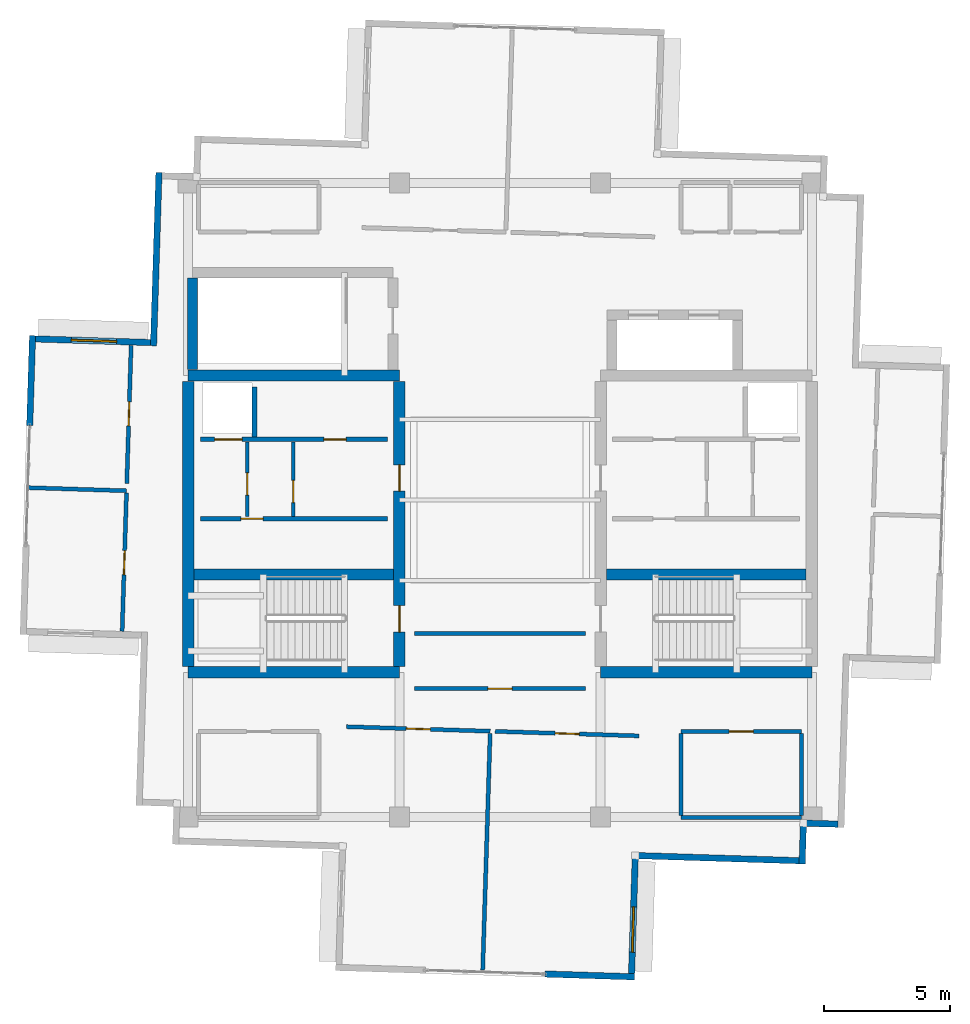
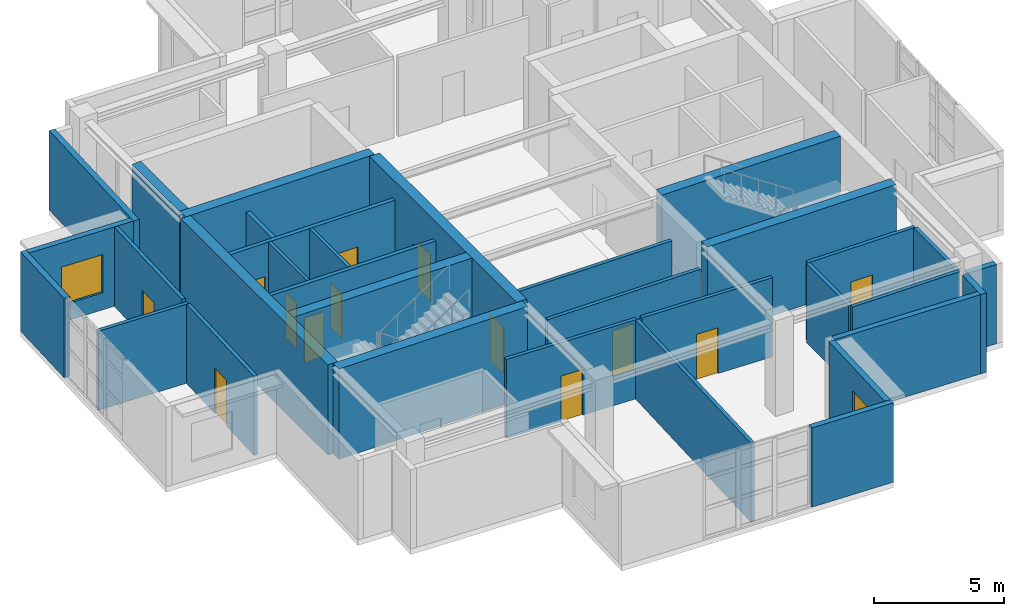
# One storey, part 10 of 14: 33 walls, 13 doors, 2 windows, 15 openings.
"""IFC4 building model written with IfcOpenShell, lengths in metres."""

from ifc_helpers import new_model, si_unit, direction, frame, frame_2d, origin, place, context, subcontext, project, spatial, rectangle, extrude, material, layer, layer_set, type_object, element, fill, save


model = new_model("IFC4")

# Units and contexts
model_context = context("Model", 3, precision=1e-05, world=origin(), true_north=direction((0.0, 1.0)))
body_context = subcontext(model_context, "Body", "Model", "MODEL_VIEW")
ifc_project = project(units=[si_unit("LENGTHUNIT", "METRE"), si_unit("AREAUNIT", "SQUARE_METRE"), si_unit("VOLUMEUNIT", "CUBIC_METRE"), si_unit("PLANEANGLEUNIT", "RADIAN"), si_unit("MASSUNIT", "GRAM", prefix="KILO")], contexts=[model_context])

# Site, building, storey
site_placement = place(None, origin())
site = spatial("IfcSite", under=ifc_project, at=site_placement, CompositionType="ELEMENT")
building_placement = place(site_placement, origin())
building = spatial("IfcBuilding", under=site, at=building_placement, Name="Qingluan Cross Belvedere", CompositionType="ELEMENT")
storey_placement = place(building_placement, frame((0.0, 0.0, 317.39990234375)))
storey = spatial("IfcBuildingStorey", under=building, at=storey_placement, Name="L78", CompositionType="ELEMENT", Elevation=317.39990234375)

# Walls
ifc_material_1 = material(Name="Concrete C50", Category="concrete")
ifc_layer_1 = layer(ifc_material_1, 0.449951171875, Name="CoreShearWall_450")
ifc_layer_set_1 = layer_set([ifc_layer_1], Name="Concrete C50")
wall_type_1 = type_object("IfcWallType", Name="CoreShearWall_450", PredefinedType="SHEAR", material=ifc_layer_set_1)
for number, where, z_axis, x_axis, name in (
    (1, (-12.39990234375, -6.85009765625, 0.0), (0.0, 0.0, 1.0), (1.0, 0.0, 0.0), "Split core W shear wall L78-S"),
    (2, (-12.39990234375, 4.949951171875, 0.0), (0.0, 0.0, 1.0), (1.0, 0.0, 0.0), "Split core W shear wall L78-N"),
):
    element("IfcWall", number, at=place(storey_placement, frame(where, z_axis=z_axis, x_axis=x_axis)), inside=storey, type_object=wall_type_1, Name=name, PredefinedType="SHEAR", context=body_context, shape_type="SweptSolid", body=[
        extrude(rectangle(XDim=8.39990234375, YDim=0.449951171875, at=frame_2d((4.199951171875, 0.0))), origin(), (0.0, 0.0, 1.0), 4.25),
    ])
wall_1_placement = place(storey_placement, frame((-12.39990234375, -6.6201171875, 0.0), z_axis=(0.0, 0.0, 1.0), x_axis=(0.0, 1.0, 0.0)))
element("IfcWall", 3, at=wall_1_placement, inside=storey, type_object=wall_type_1, Name="Split core W shear wall L78-W", PredefinedType="SHEAR", context=body_context, shape_type="SweptSolid", body=[
    extrude(rectangle(XDim=11.340087890625, YDim=0.449951171875, at=frame_2d((5.669921875, 0.0))), origin(), (0.0, 0.0, 1.0), 4.25),
])

# Wall, openings, doors
wall_2_placement = place(storey_placement, frame((-4.0, -6.6201171875, 0.0), z_axis=(0.0, 0.0, 1.0), x_axis=(0.0, 1.0, 0.0)))
wall_2 = element("IfcWall", 4, at=wall_2_placement, inside=storey, type_object=wall_type_1, Name="Split core W shear wall L78-E", PredefinedType="SHEAR", context=body_context, shape_type="SweptSolid", body=[
    extrude(rectangle(XDim=11.340087890625, YDim=0.449951171875, at=frame_2d((5.669921875, 0.0))), origin(), (0.0, 0.0, 1.0), 4.25),
])
opening_1_placement = place(wall_2_placement, frame((1.3701171875, 0.0, 0.0)))
opening_1 = element("IfcOpeningElement", 5, at=opening_1_placement, cuts=wall_2, Name="Opening FD-B11", PredefinedType="OPENING", context=body_context, shape_type="SweptSolid", body=[
    extrude(rectangle(XDim=1.050048828125, YDim=2.14990234375, at=frame_2d((0.52490234375, 1.074951171875))), frame((0.0, 0.23486328125, 0.0), z_axis=(0.0, -1.0, 0.0), x_axis=(1.0, 0.0, 0.0)), (0.0, 0.0, 1.0), 0.469970703125),
])
opening_2_placement = place(wall_2_placement, frame((6.969970703125, 0.0, 0.0)))
opening_2 = element("IfcOpeningElement", 6, at=opening_2_placement, cuts=wall_2, Name="Opening FD-B11", PredefinedType="OPENING", context=body_context, shape_type="SweptSolid", body=[
    extrude(rectangle(XDim=1.050048828125, YDim=2.14990234375, at=frame_2d((0.52490234375, 1.074951171875))), frame((0.0, 0.23486328125, 0.0), z_axis=(0.0, -1.0, 0.0), x_axis=(1.0, 0.0, 0.0)), (0.0, 0.0, 1.0), 0.469970703125),
])
ifc_material_2 = material(Name="Steel Class B smoke-seal fire door", Category="steel")
door_type_1 = type_object("IfcDoorType", Name="StairLobbyFireDoor_FDB", OperationType="NOTDEFINED", PredefinedType="DOOR", material=ifc_material_2)
door_1_placement = place(opening_1_placement, origin())
door_1 = element("IfcDoor", 7, at=door_1_placement, inside=storey, type_object=door_type_1, Name="Smoke-proof stair ST1 fire door L78", OperationType="SINGLE_SWING_RIGHT", OverallHeight=2.14990234375, OverallWidth=1.050048828125, PredefinedType="DOOR", context=body_context, shape_type="SweptSolid", body=[
    extrude(rectangle(XDim=1.050048828125, YDim=2.14990234375, at=frame_2d((0.52490234375, 1.074951171875))), frame((0.0, 0.02490234375, 0.0), z_axis=(0.0, -1.0, 0.0), x_axis=(1.0, 0.0, 0.0)), (0.0, 0.0, 1.0), 0.050048828125),
])
fill(opening_1, door_1)
door_2_placement = place(opening_2_placement, origin())
door_2 = element("IfcDoor", 8, at=door_2_placement, inside=storey, type_object=door_type_1, Name="Firefighting lobby West fire door L78", OperationType="SINGLE_SWING_RIGHT", OverallHeight=2.14990234375, OverallWidth=1.050048828125, PredefinedType="DOOR", context=body_context, shape_type="SweptSolid", body=[
    extrude(rectangle(XDim=1.050048828125, YDim=2.14990234375, at=frame_2d((0.52490234375, 1.074951171875))), frame((0.0, 0.02490234375, 0.0), z_axis=(0.0, -1.0, 0.0), x_axis=(1.0, 0.0, 0.0)), (0.0, 0.0, 1.0), 0.050048828125),
])
fill(opening_2, door_2)

# Walls
wall_3_placement = place(storey_placement, frame((-12.169921875, -2.9599609375, 0.0), z_axis=(0.0, 0.0, 1.0), x_axis=(1.0, 0.0, 0.0)))
element("IfcWall", 9, at=wall_3_placement, inside=storey, type_object=wall_type_1, Name="Split core W shear wall L78-M", PredefinedType="SHEAR", context=body_context, shape_type="SweptSolid", body=[
    extrude(rectangle(XDim=7.93994140625, YDim=0.449951171875, at=frame_2d((3.969970703125, 0.0))), origin(), (0.0, 0.0, 1.0), 4.25),
])
wall_4_placement = place(storey_placement, frame((4.0, -6.85009765625, 0.0), z_axis=(0.0, 0.0, 1.0), x_axis=(1.0, 0.0, 0.0)))
element("IfcWall", 10, at=wall_4_placement, inside=storey, type_object=wall_type_1, Name="Split core E shear wall L78-S", PredefinedType="SHEAR", context=body_context, shape_type="SweptSolid", body=[
    extrude(rectangle(XDim=8.39990234375, YDim=0.449951171875, at=frame_2d((4.199951171875, 0.0))), origin(), (0.0, 0.0, 1.0), 4.25),
])
wall_5_placement = place(storey_placement, frame((4.22998046875, -2.9599609375, 0.0), z_axis=(0.0, 0.0, 1.0), x_axis=(1.0, 0.0, 0.0)))
element("IfcWall", 11, at=wall_5_placement, inside=storey, type_object=wall_type_1, Name="Split core E shear wall L78-M", PredefinedType="SHEAR", context=body_context, shape_type="SweptSolid", body=[
    extrude(rectangle(XDim=7.93994140625, YDim=0.449951171875, at=frame_2d((3.969970703125, 0.0))), origin(), (0.0, 0.0, 1.0), 4.25),
])
wall_6_placement = place(storey_placement, frame((-12.219970703125, 5.179931640625, 0.0), z_axis=(0.0, 0.0, 1.0), x_axis=(0.0, 1.0, 0.0)))
element("IfcWall", 12, at=wall_6_placement, inside=storey, type_object=wall_type_1, Name="Stair ST3 structural wall W L78", PredefinedType="SHEAR", context=body_context, shape_type="SweptSolid", body=[
    extrude(rectangle(XDim=3.655029296875, YDim=0.39990234375, at=frame_2d((1.82763671875, 0.0))), origin(), (0.0, 0.0, 1.0), 4.25),
])

# Wall, opening, door
ifc_material_3 = material(Name="Gypsum plasterboard on steel stud acoustic partition", Category="steel")
ifc_layer_2 = layer(ifc_material_3, 0.159912109375, Name="CorridorPartition_160")
ifc_layer_set_2 = layer_set([ifc_layer_2], Name="Gypsum plasterboard on steel stud acoustic partition")
wall_type_2 = type_object("IfcWallType", Name="CorridorPartition_160", PredefinedType="PARTITIONING", material=ifc_layer_set_2)
wall_7_placement = place(storey_placement, frame((-10.050048828125, -0.652099609375, 0.0), z_axis=(0.0, 0.0, 1.0), x_axis=(0.0, 1.0, 0.0)))
wall_7 = element("IfcWall", 13, at=wall_7_placement, inside=storey, type_object=wall_type_2, Name="Partition L78:wv", PredefinedType="PARTITIONING", context=body_context, shape_type="SweptSolid", body=[
    extrude(rectangle(XDim=2.962158203125, YDim=0.139892578125, at=frame_2d((1.48095703125, 0.0))), origin(), (0.0, 0.0, 1.0), 3.72021484375),
])
opening_3_placement = place(wall_7_placement, frame((0.85009765625, 0.0, 0.0)))
opening_3 = element("IfcOpeningElement", 14, at=opening_3_placement, cuts=wall_7, Name="Opening FD-B10", PredefinedType="OPENING", context=body_context, shape_type="SweptSolid", body=[
    extrude(rectangle(XDim=0.8798828125, YDim=2.10009765625, at=frame_2d((0.43994140625, 1.050048828125))), frame((0.0, 0.079833984375, 0.0), z_axis=(0.0, -1.0, 0.0), x_axis=(1.0, 0.0, 0.0)), (0.0, 0.0, 1.0), 0.159912109375),
])
ifc_material_4 = material(Name="Steel Class B service fire door", Category="steel")
door_type_2 = type_object("IfcDoorType", Name="RiserServiceFireDoor_FDB", OperationType="NOTDEFINED", PredefinedType="DOOR", material=ifc_material_4)
door_3_placement = place(opening_3_placement, origin())
door_3 = element("IfcDoor", 15, at=door_3_placement, inside=storey, type_object=door_type_2, Name="Service closet inner door L78", OperationType="SINGLE_SWING_LEFT", OverallHeight=2.10009765625, OverallWidth=0.8798828125, PredefinedType="DOOR", context=body_context, shape_type="SweptSolid", body=[
    extrude(rectangle(XDim=0.8798828125, YDim=2.10009765625, at=frame_2d((0.43994140625, 1.050048828125))), frame((0.0, 0.02490234375, 0.0), z_axis=(0.0, -1.0, 0.0), x_axis=(1.0, 0.0, 0.0)), (0.0, 0.0, 1.0), 0.050048828125),
])
fill(opening_3, door_3)

wall_8_placement = place(storey_placement, frame((-6.106201171875, -9.0126953125, 0.0), z_axis=(0.0, 0.0, 1.0), x_axis=(0.999506480363, -0.031413304704, 0.0)))
wall_8 = element("IfcWall", 16, at=wall_8_placement, inside=storey, type_object=wall_type_2, Name="Partition L78:obs_s1:N", PredefinedType="PARTITIONING", context=body_context, shape_type="SweptSolid", body=[
    extrude(rectangle(XDim=5.72021484375, YDim=0.159912109375, at=frame_2d((2.860107421875, 0.0))), origin(), (0.0, 0.0, 1.0), 3.72021484375),
])
opening_4_placement = place(wall_8_placement, frame((2.3798828125, 0.0, 0.0)))
opening_4 = element("IfcOpeningElement", 17, at=opening_4_placement, cuts=wall_8, Name="Opening GD-10", PredefinedType="OPENING", context=body_context, shape_type="SweptSolid", body=[
    extrude(rectangle(XDim=0.9599609375, YDim=2.14990234375, at=frame_2d((0.47998046875, 1.074951171875))), frame((0.0, 0.08984375, 0.0), z_axis=(0.0, -1.0, 0.0), x_axis=(1.0, 0.0, 0.0)), (0.0, 0.0, 1.0), 0.179931640625),
])
ifc_material_5 = material(Name="Timber oak fire-rated acoustic guestroom door", Category="wood")
door_type_3 = type_object("IfcDoorType", Name="GuestEntryDoor_FD60", OperationType="NOTDEFINED", PredefinedType="DOOR", material=ifc_material_5)
door_4_placement = place(opening_4_placement, origin())
door_4 = element("IfcDoor", 18, at=door_4_placement, inside=storey, type_object=door_type_3, Name="South Yangtze belvedere lounge W L78 door", OperationType="SINGLE_SWING_RIGHT", OverallHeight=2.14990234375, OverallWidth=0.9599609375, PredefinedType="DOOR", context=body_context, shape_type="SweptSolid", body=[
    extrude(rectangle(XDim=0.9599609375, YDim=2.14990234375, at=frame_2d((0.47998046875, 1.074951171875))), frame((0.0, 0.02490234375, 0.0), z_axis=(0.0, -1.0, 0.0), x_axis=(1.0, 0.0, 0.0)), (0.0, 0.0, 1.0), 0.050048828125),
])
fill(opening_4, door_4)

# Wall
wall_9_placement = place(storey_placement, frame((-0.687255859375, -18.6826171875, 0.0), z_axis=(0.0, 0.0, 1.0), x_axis=(0.031419429825, 0.999506287839, 0.0)))
element("IfcWall", 19, at=wall_9_placement, inside=storey, type_object=wall_type_2, Name="Partition L78:obs_s1:E", PredefinedType="PARTITIONING", context=body_context, shape_type="SweptSolid", body=[
    extrude(rectangle(XDim=9.409912109375, YDim=0.159912109375, at=frame_2d((4.705078125, 0.0))), origin(), (0.0, 0.0, 1.0), 3.72021484375),
])

# Wall, opening, door
wall_10_placement = place(storey_placement, frame((-0.18896484375, -9.198486328125, 0.0), z_axis=(0.0, 0.0, 1.0), x_axis=(0.999505097127, -0.031457285587, 0.0)))
wall_10 = element("IfcWall", 20, at=wall_10_placement, inside=storey, type_object=wall_type_2, Name="Partition L78:obs_s2:N", PredefinedType="PARTITIONING", context=body_context, shape_type="SweptSolid", body=[
    extrude(rectangle(XDim=5.719970703125, YDim=0.159912109375, at=frame_2d((2.85986328125, 0.0))), origin(), (0.0, 0.0, 1.0), 3.72021484375),
])
opening_5_placement = place(wall_10_placement, frame((2.3798828125, 0.0, 0.0)))
opening_5 = element("IfcOpeningElement", 21, at=opening_5_placement, cuts=wall_10, Name="Opening GD-10", PredefinedType="OPENING", context=body_context, shape_type="SweptSolid", body=[
    extrude(rectangle(XDim=0.9599609375, YDim=2.14990234375, at=frame_2d((0.47998046875, 1.074951171875))), frame((0.0, 0.08984375, 0.0), z_axis=(0.0, -1.0, 0.0), x_axis=(1.0, 0.0, 0.0)), (0.0, 0.0, 1.0), 0.179931640625),
])
door_5_placement = place(opening_5_placement, origin())
door_5 = element("IfcDoor", 22, at=door_5_placement, inside=storey, type_object=door_type_3, Name="South Yangtze belvedere lounge E L78 door", OperationType="SINGLE_SWING_LEFT", OverallHeight=2.14990234375, OverallWidth=0.9599609375, PredefinedType="DOOR", context=body_context, shape_type="SweptSolid", body=[
    extrude(rectangle(XDim=0.9599609375, YDim=2.14990234375, at=frame_2d((0.47998046875, 1.074951171875))), frame((0.0, 0.02490234375, 0.0), z_axis=(0.0, -1.0, 0.0), x_axis=(1.0, 0.0, 0.0)), (0.0, 0.0, 1.0), 0.050048828125),
])
fill(opening_5, door_5)

# Wall
wall_11_placement = place(storey_placement, frame((-18.77392578125, 0.489990234375, 0.0), z_axis=(0.0, 0.0, 1.0), x_axis=(0.999505874845, -0.031432565113, 0.0)))
element("IfcWall", 23, at=wall_11_placement, inside=storey, type_object=wall_type_2, Name="Partition L78:obs_w1:N", PredefinedType="PARTITIONING", context=body_context, shape_type="SweptSolid", body=[
    extrude(rectangle(XDim=3.93017578125, YDim=0.159912109375, at=frame_2d((1.965087890625, 0.0))), origin(), (0.0, 0.0, 1.0), 3.72021484375),
])

# Wall, opening, door
wall_12_placement = place(storey_placement, frame((-15.021240234375, -5.2177734375, 0.0), z_axis=(0.0, 0.0, 1.0), x_axis=(0.031416227439, 0.999506388501, 0.0)))
wall_12 = element("IfcWall", 24, at=wall_12_placement, inside=storey, type_object=wall_type_2, Name="Partition L78:obs_w1:E", PredefinedType="PARTITIONING", context=body_context, shape_type="SweptSolid", body=[
    extrude(rectangle(XDim=5.501953125, YDim=0.159912109375, at=frame_2d((2.7509765625, 0.0))), origin(), (0.0, 0.0, 1.0), 3.72021484375),
])
opening_6_placement = place(wall_12_placement, frame((2.2470703125, 0.0, 0.0)))
opening_6 = element("IfcOpeningElement", 25, at=opening_6_placement, cuts=wall_12, Name="Opening GD-10", PredefinedType="OPENING", context=body_context, shape_type="SweptSolid", body=[
    extrude(rectangle(XDim=0.9599609375, YDim=2.14990234375, at=frame_2d((0.47998046875, 1.074951171875))), frame((0.0, 0.08984375, 0.0), z_axis=(0.0, -1.0, 0.0), x_axis=(1.0, 0.0, 0.0)), (0.0, 0.0, 1.0), 0.179931640625),
])
door_6_placement = place(opening_6_placement, origin())
door_6 = element("IfcDoor", 26, at=door_6_placement, inside=storey, type_object=door_type_3, Name="West skyline exhibition room L78 door", OperationType="SINGLE_SWING_RIGHT", OverallHeight=2.14990234375, OverallWidth=0.9599609375, PredefinedType="DOOR", context=body_context, shape_type="SweptSolid", body=[
    extrude(rectangle(XDim=0.9599609375, YDim=2.14990234375, at=frame_2d((0.47998046875, 1.074951171875))), frame((0.0, 0.02490234375, 0.0), z_axis=(0.0, -1.0, 0.0), x_axis=(1.0, 0.0, 0.0)), (0.0, 0.0, 1.0), 0.050048828125),
])
fill(opening_6, door_6)

wall_13_placement = place(storey_placement, frame((-14.8369140625, 0.6513671875, 0.0), z_axis=(0.0, 0.0, 1.0), x_axis=(0.031416227439, 0.999506388501, 0.0)))
wall_13 = element("IfcWall", 27, at=wall_13_placement, inside=storey, type_object=wall_type_2, Name="Partition L78:obs_w2:E", PredefinedType="PARTITIONING", context=body_context, shape_type="SweptSolid", body=[
    extrude(rectangle(XDim=5.501953125, YDim=0.159912109375, at=frame_2d((2.7509765625, 0.0))), origin(), (0.0, 0.0, 1.0), 3.72021484375),
])
opening_7_placement = place(wall_13_placement, frame((2.294921875, 0.0, 0.0)))
opening_7 = element("IfcOpeningElement", 28, at=opening_7_placement, cuts=wall_13, Name="Opening GD-10", PredefinedType="OPENING", context=body_context, shape_type="SweptSolid", body=[
    extrude(rectangle(XDim=0.9599609375, YDim=2.14990234375, at=frame_2d((0.47998046875, 1.074951171875))), frame((0.0, 0.08984375, 0.0), z_axis=(0.0, -1.0, 0.0), x_axis=(1.0, 0.0, 0.0)), (0.0, 0.0, 1.0), 0.179931640625),
])
door_7_placement = place(opening_7_placement, origin())
door_7 = element("IfcDoor", 29, at=door_7_placement, inside=storey, type_object=door_type_3, Name="Telescope viewing salon L78 door", OperationType="SINGLE_SWING_LEFT", OverallHeight=2.14990234375, OverallWidth=0.9599609375, PredefinedType="DOOR", context=body_context, shape_type="SweptSolid", body=[
    extrude(rectangle(XDim=0.9599609375, YDim=2.14990234375, at=frame_2d((0.47998046875, 1.074951171875))), frame((0.0, 0.02490234375, 0.0), z_axis=(0.0, -1.0, 0.0), x_axis=(1.0, 0.0, 0.0)), (0.0, 0.0, 1.0), 0.050048828125),
])
fill(opening_7, door_7)

# Wall
wall_14_placement = place(storey_placement, frame((7.199951171875, -12.6298828125, 0.0), z_axis=(0.0, 0.0, 1.0), x_axis=(1.0, 0.0, 0.0)))
element("IfcWall", 30, at=wall_14_placement, inside=storey, type_object=wall_type_2, Name="Partition L78:crown_se:S", PredefinedType="PARTITIONING", context=body_context, shape_type="SweptSolid", body=[
    extrude(rectangle(XDim=4.780029296875, YDim=0.159912109375, at=frame_2d((2.39013671875, 0.0))), origin(), (0.0, 0.0, 1.0), 3.72021484375),
])

# Wall, opening, door
wall_15_placement = place(storey_placement, frame((7.199951171875, -9.199951171875, 0.0), z_axis=(0.0, 0.0, 1.0), x_axis=(1.0, 0.0, 0.0)))
wall_15 = element("IfcWall", 31, at=wall_15_placement, inside=storey, type_object=wall_type_2, Name="Partition L78:crown_se:N", PredefinedType="PARTITIONING", context=body_context, shape_type="SweptSolid", body=[
    extrude(rectangle(XDim=4.780029296875, YDim=0.159912109375, at=frame_2d((2.39013671875, 0.0))), origin(), (0.0, 0.0, 1.0), 3.72021484375),
])
opening_8_placement = place(wall_15_placement, frame((1.909912109375, 0.0, 0.0)))
opening_8 = element("IfcOpeningElement", 32, at=opening_8_placement, cuts=wall_15, Name="Opening GD-10", PredefinedType="OPENING", context=body_context, shape_type="SweptSolid", body=[
    extrude(rectangle(XDim=0.9599609375, YDim=2.14990234375, at=frame_2d((0.47998046875, 1.074951171875))), frame((0.0, 0.08984375, 0.0), z_axis=(0.0, -1.0, 0.0), x_axis=(1.0, 0.0, 0.0)), (0.0, 0.0, 1.0), 0.179931640625),
])
door_8_placement = place(opening_8_placement, origin())
door_8 = element("IfcDoor", 33, at=door_8_placement, inside=storey, type_object=door_type_3, Name="Southeast horizon salon L78 door", OperationType="SINGLE_SWING_RIGHT", OverallHeight=2.14990234375, OverallWidth=0.9599609375, PredefinedType="DOOR", context=body_context, shape_type="SweptSolid", body=[
    extrude(rectangle(XDim=0.9599609375, YDim=2.14990234375, at=frame_2d((0.47998046875, 1.074951171875))), frame((0.0, 0.02490234375, 0.0), z_axis=(0.0, -1.0, 0.0), x_axis=(1.0, 0.0, 0.0)), (0.0, 0.0, 1.0), 0.050048828125),
])
fill(opening_8, door_8)

# Walls
for number, where, z_axis, x_axis, name in (
    (34, (7.199951171875, -12.544921875, 0.0), (0.0, 0.0, 1.0), (0.0, 1.0, 0.0), "Partition L78:crown_se:W"),
    (35, (11.97998046875, -12.544921875, 0.0), (0.0, 0.0, 1.0), (0.0, 1.0, 0.0), "Partition L78:crown_se:E"),
):
    element("IfcWall", number, at=place(storey_placement, frame(where, z_axis=z_axis, x_axis=x_axis)), inside=storey, type_object=wall_type_2, Name=name, PredefinedType="PARTITIONING", context=body_context, shape_type="SweptSolid", body=[
        extrude(rectangle(XDim=3.260009765625, YDim=0.159912109375, at=frame_2d((1.6298828125, 0.0))), origin(), (0.0, 0.0, 1.0), 3.72021484375),
    ])

# Wall, opening, door
wall_16_placement = place(storey_placement, frame((-3.39990234375, -7.5, 0.0), z_axis=(0.0, 0.0, 1.0), x_axis=(1.0, 0.0, 0.0)))
wall_16 = element("IfcWall", 36, at=wall_16_placement, inside=storey, type_object=wall_type_2, Name="Partition L78:obs_center_s:S", PredefinedType="PARTITIONING", context=body_context, shape_type="SweptSolid", body=[
    extrude(rectangle(XDim=6.7998046875, YDim=0.159912109375, at=frame_2d((3.39990234375, 0.0))), origin(), (0.0, 0.0, 1.0), 3.72021484375),
])
opening_9_placement = place(wall_16_placement, frame((2.919921875, 0.0, 0.0)))
opening_9 = element("IfcOpeningElement", 37, at=opening_9_placement, cuts=wall_16, Name="Opening GD-10", PredefinedType="OPENING", context=body_context, shape_type="SweptSolid", body=[
    extrude(rectangle(XDim=0.9599609375, YDim=2.14990234375, at=frame_2d((0.47998046875, 1.074951171875))), frame((0.0, 0.08984375, 0.0), z_axis=(0.0, -1.0, 0.0), x_axis=(1.0, 0.0, 0.0)), (0.0, 0.0, 1.0), 0.179931640625),
])
door_9_placement = place(opening_9_placement, origin())
door_9 = element("IfcDoor", 38, at=door_9_placement, inside=storey, type_object=door_type_3, Name="Central skyline viewing alcove L78 door", OperationType="SINGLE_SWING_LEFT", OverallHeight=2.14990234375, OverallWidth=0.9599609375, PredefinedType="DOOR", context=body_context, shape_type="SweptSolid", body=[
    extrude(rectangle(XDim=0.9599609375, YDim=2.14990234375, at=frame_2d((0.47998046875, 1.074951171875))), frame((0.0, 0.02490234375, 0.0), z_axis=(0.0, -1.0, 0.0), x_axis=(1.0, 0.0, 0.0)), (0.0, 0.0, 1.0), 0.050048828125),
])
fill(opening_9, door_9)

# Wall
wall_17_placement = place(storey_placement, frame((-3.39990234375, -5.300048828125, 0.0), z_axis=(0.0, 0.0, 1.0), x_axis=(1.0, 0.0, 0.0)))
element("IfcWall", 39, at=wall_17_placement, inside=storey, type_object=wall_type_2, Name="Partition L78:obs_center_s:N", PredefinedType="PARTITIONING", context=body_context, shape_type="SweptSolid", body=[
    extrude(rectangle(XDim=6.7998046875, YDim=0.159912109375, at=frame_2d((3.39990234375, 0.0))), origin(), (0.0, 0.0, 1.0), 3.72021484375),
])

# Wall, opening, window
ifc_material_6 = material(Name="Precast concrete C45", Category="concrete")
ifc_layer_3 = layer(ifc_material_6, 0.25, Name="PrecastCrownWall_250")
ifc_layer_set_3 = layer_set([ifc_layer_3], Name="Precast concrete C45")
wall_type_3 = type_object("IfcWallType", Name="PrecastCrownWall_250", PredefinedType="STANDARD", material=ifc_layer_set_3)
wall_18_placement = place(storey_placement, frame((-13.895263671875, 6.259521484375, 0.0), z_axis=(0.0, 0.0, 1.0), x_axis=(-0.999506483228, 0.031413213541, 0.0)))
wall_18 = element("IfcWall", 40, at=wall_18_placement, inside=storey, type_object=wall_type_3, Name="Facade wall L78-WA", PredefinedType="STANDARD", context=body_context, shape_type="SweptSolid", body=[
    extrude(rectangle(XDim=4.56982421875, YDim=0.25, at=frame_2d((2.284912109375, 0.0))), origin(), (0.0, 0.0, 1.0), 3.72998046875),
])
opening_10_placement = place(wall_18_placement, frame((1.35009765625, 0.0, 0.800048828125)))
opening_10 = element("IfcOpeningElement", 41, at=opening_10_placement, cuts=wall_18, Name="Opening W-05", PredefinedType="OPENING", context=body_context, shape_type="SweptSolid", body=[
    extrude(rectangle(XDim=1.800048828125, YDim=1.800048828125, at=frame_2d((0.89990234375, 0.89990234375))), frame((0.0, 0.135009765625, 0.0), z_axis=(0.0, -1.0, 0.0), x_axis=(1.0, 0.0, 0.0)), (0.0, 0.0, 1.0), 0.27001953125),
])
ifc_material_7 = material(Name="Thermally broken triple Low-E glass in aluminium frame", Category="aluminium")
window_type = type_object("IfcWindowType", Name="CrownBelvedereWin_1800x1800", PartitioningType="SINGLE_PANEL", PredefinedType="WINDOW", material=ifc_material_7)
window_1_placement = place(opening_10_placement, origin())
window_1 = element("IfcWindow", 42, at=window_1_placement, inside=storey, type_object=window_type, Name="Ribbon window L78-WA-1", OverallHeight=1.800048828125, OverallWidth=1.800048828125, PartitioningType="SINGLE_PANEL", PredefinedType="WINDOW", context=body_context, shape_type="SweptSolid", body=[
    extrude(rectangle(XDim=1.800048828125, YDim=1.800048828125, at=frame_2d((0.89990234375, 0.89990234375))), frame((0.0, 0.030029296875, 0.0), z_axis=(0.0, -1.0, 0.0), x_axis=(1.0, 0.0, 0.0)), (0.0, 0.0, 1.0), 0.06005859375),
])
fill(opening_10, window_1)

# Wall
wall_19_placement = place(storey_placement, frame((-18.583984375, 6.531982421875, 0.0), z_axis=(0.0, 0.0, 1.0), x_axis=(-0.031416382256, -0.999506383634, 0.0)))
element("IfcWall", 43, at=wall_19_placement, inside=storey, type_object=wall_type_3, Name="Terrace portal jamb wall L78-W1", PredefinedType="STANDARD", context=body_context, shape_type="SweptSolid", body=[
    extrude(rectangle(XDim=3.56689453125, YDim=0.25, at=frame_2d((1.783447265625, 0.0))), origin(), (0.0, 0.0, 1.0), 3.72998046875),
])

# Wall, opening, window
wall_20_placement = place(storey_placement, frame((5.231201171875, -18.82861328125, 0.0), z_axis=(0.0, 0.0, 1.0), x_axis=(0.031413213541, 0.999506483228, 0.0)))
wall_20 = element("IfcWall", 44, at=wall_20_placement, inside=storey, type_object=wall_type_3, Name="Facade wall L78-SB", PredefinedType="STANDARD", context=body_context, shape_type="SweptSolid", body=[
    extrude(rectangle(XDim=4.56982421875, YDim=0.25, at=frame_2d((2.284912109375, 0.0))), origin(), (0.0, 0.0, 1.0), 3.72998046875),
])
opening_11_placement = place(wall_20_placement, frame((0.85009765625, 0.0, 0.800048828125)))
opening_11 = element("IfcOpeningElement", 45, at=opening_11_placement, cuts=wall_20, Name="Opening W-05", PredefinedType="OPENING", context=body_context, shape_type="SweptSolid", body=[
    extrude(rectangle(XDim=1.800048828125, YDim=1.800048828125, at=frame_2d((0.89990234375, 0.89990234375))), frame((0.0, 0.135009765625, 0.0), z_axis=(0.0, -1.0, 0.0), x_axis=(1.0, 0.0, 0.0)), (0.0, 0.0, 1.0), 0.27001953125),
])
window_2_placement = place(opening_11_placement, origin())
window_2 = element("IfcWindow", 46, at=window_2_placement, inside=storey, type_object=window_type, Name="Ribbon window L78-SB-1", OverallHeight=1.800048828125, OverallWidth=1.800048828125, PartitioningType="SINGLE_PANEL", PredefinedType="WINDOW", context=body_context, shape_type="SweptSolid", body=[
    extrude(rectangle(XDim=1.800048828125, YDim=1.800048828125, at=frame_2d((0.89990234375, 0.89990234375))), frame((0.0, 0.030029296875, 0.0), z_axis=(0.0, -1.0, 0.0), x_axis=(1.0, 0.0, 0.0)), (0.0, 0.0, 1.0), 0.06005859375),
])
fill(opening_11, window_2)

# Walls
wall_21_placement = place(storey_placement, frame((1.786865234375, -18.845458984375, 0.0), z_axis=(0.0, 0.0, 1.0), x_axis=(0.999506451182, -0.031414233162, 0.0)))
element("IfcWall", 47, at=wall_21_placement, inside=storey, type_object=wall_type_3, Name="Terrace portal jamb wall L78-S2", PredefinedType="STANDARD", context=body_context, shape_type="SweptSolid", body=[
    extrude(rectangle(XDim=3.567138671875, YDim=0.25, at=frame_2d((1.78369140625, 0.0))), origin(), (0.0, 0.0, 1.0), 3.72998046875),
])
wall_22_placement = place(storey_placement, frame((-13.774169921875, 6.130615234375, 0.0), z_axis=(0.0, 0.0, 1.0), x_axis=(0.031394046997, 0.999507085424, 0.0)))
element("IfcWall", 48, at=wall_22_placement, inside=storey, type_object=wall_type_3, Name="Corner wall L78-NW1", PredefinedType="STANDARD", context=body_context, shape_type="SweptSolid", body=[
    extrude(rectangle(XDim=6.89013671875, YDim=0.25, at=frame_2d((3.445068359375, 0.0))), origin(), (0.0, 0.0, 1.0), 3.72998046875),
])
wall_23_placement = place(storey_placement, frame((13.436767578125, -12.888427734375, 0.0), z_axis=(0.0, 0.0, 1.0), x_axis=(-0.999505383482, 0.0314481858, 0.0)))
element("IfcWall", 49, at=wall_23_placement, inside=storey, type_object=wall_type_3, Name="Corner wall L78-SE2", PredefinedType="STANDARD", context=body_context, shape_type="SweptSolid", body=[
    extrude(rectangle(XDim=1.25, YDim=0.25, at=frame_2d((0.625, 0.0))), origin(), (0.0, 0.0, 1.0), 3.72998046875),
])
wall_24_placement = place(storey_placement, frame((12.05859375, -12.97021484375, 0.0), z_axis=(0.0, 0.0, 1.0), x_axis=(-0.031412596484, -0.999506502621, 0.0)))
element("IfcWall", 50, at=wall_24_placement, inside=storey, type_object=wall_type_3, Name="Corner wall L78-SE3", PredefinedType="STANDARD", context=body_context, shape_type="SweptSolid", body=[
    extrude(rectangle(XDim=1.5, YDim=0.25, at=frame_2d((0.75, 0.0))), origin(), (0.0, 0.0, 1.0), 3.72998046875),
])
wall_25_placement = place(storey_placement, frame((11.890380859375, -14.340576171875, 0.0), z_axis=(0.0, 0.0, 1.0), x_axis=(-0.999506693648, 0.031406517667, 0.0)))
element("IfcWall", 51, at=wall_25_placement, inside=storey, type_object=wall_type_3, Name="Corner wall L78-SE4", PredefinedType="STANDARD", context=body_context, shape_type="SweptSolid", body=[
    extrude(rectangle(XDim=6.389892578125, YDim=0.25, at=frame_2d((3.19482421875, 0.0))), origin(), (0.0, 0.0, 1.0), 3.72998046875),
])

# Wall, openings, doors
ifc_material_8 = material(Name="Concrete C40", Category="concrete")
ifc_layer_4 = layer(ifc_material_8, 0.219970703125, Name="ShaftEnclosureWall_250")
ifc_layer_set_4 = layer_set([ifc_layer_4], Name="Concrete C40")
wall_type_4 = type_object("IfcWallType", Name="ShaftEnclosureWall_250", PredefinedType="SOLIDWALL", material=ifc_layer_set_4)
wall_26_placement = place(storey_placement, frame((-11.89990234375, 2.409912109375, 0.0), z_axis=(0.0, 0.0, 1.0), x_axis=(1.0, 0.0, 0.0)))
wall_26 = element("IfcWall", 52, at=wall_26_placement, inside=storey, type_object=wall_type_4, Name="Core-W north hoistway wall L78", PredefinedType="SOLIDWALL", context=body_context, shape_type="SweptSolid", body=[
    extrude(rectangle(XDim=7.419921875, YDim=0.179931640625, at=frame_2d((3.7099609375, 0.0))), origin(), (0.0, 0.0, 1.0), 3.72021484375),
])
opening_12_placement = place(wall_26_placement, frame((0.550048828125, 0.0, 0.0)))
opening_12 = element("IfcOpeningElement", 53, at=opening_12_placement, cuts=wall_26, Name="Opening LD-11", PredefinedType="OPENING", context=body_context, shape_type="SweptSolid", body=[
    extrude(rectangle(XDim=1.10009765625, YDim=2.14990234375, at=frame_2d((0.550048828125, 1.074951171875))), frame((0.0, 0.099853515625, 0.0), z_axis=(0.0, -1.0, 0.0), x_axis=(1.0, 0.0, 0.0)), (0.0, 0.0, 1.0), 0.199951171875),
])
opening_13_placement = place(wall_26_placement, frame((4.89990234375, 0.0, 0.0)))
opening_13 = element("IfcOpeningElement", 54, at=opening_13_placement, cuts=wall_26, Name="Opening FD-B10", PredefinedType="OPENING", context=body_context, shape_type="SweptSolid", body=[
    extrude(rectangle(XDim=0.8798828125, YDim=2.10009765625, at=frame_2d((0.43994140625, 1.050048828125))), frame((0.0, 0.099853515625, 0.0), z_axis=(0.0, -1.0, 0.0), x_axis=(1.0, 0.0, 0.0)), (0.0, 0.0, 1.0), 0.199951171875),
])
ifc_material_9 = material(Name="Brushed stainless steel centre-opening lift landing door", Category="steel")
door_type_4 = type_object("IfcDoorType", Name="LiftLandingSlidingDoor_1100", OperationType="DOUBLE_DOOR_SLIDING", PredefinedType="DOOR", material=ifc_material_9)
door_10_placement = place(opening_12_placement, origin())
door_10 = element("IfcDoor", 55, at=door_10_placement, inside=storey, type_object=door_type_4, Name="Lift landing sliding door FL1 L78", OperationType="DOUBLE_DOOR_SLIDING", OverallHeight=2.14990234375, OverallWidth=1.10009765625, PredefinedType="DOOR", context=body_context, shape_type="SweptSolid", body=[
    extrude(rectangle(XDim=1.10009765625, YDim=2.14990234375, at=frame_2d((0.550048828125, 1.074951171875))), frame((0.0, 0.02490234375, 0.0), z_axis=(0.0, -1.0, 0.0), x_axis=(1.0, 0.0, 0.0)), (0.0, 0.0, 1.0), 0.050048828125),
])
fill(opening_12, door_10)
door_11_placement = place(opening_13_placement, origin())
door_11 = element("IfcDoor", 56, at=door_11_placement, inside=storey, type_object=door_type_2, Name="Housekeeping supply room door W L78", OperationType="SINGLE_SWING_LEFT", OverallHeight=2.10009765625, OverallWidth=0.8798828125, PredefinedType="DOOR", context=body_context, shape_type="SweptSolid", body=[
    extrude(rectangle(XDim=0.8798828125, YDim=2.10009765625, at=frame_2d((0.43994140625, 1.050048828125))), frame((0.0, 0.02490234375, 0.0), z_axis=(0.0, -1.0, 0.0), x_axis=(1.0, 0.0, 0.0)), (0.0, 0.0, 1.0), 0.050048828125),
])
fill(opening_13, door_11)

# Wall, opening, door
wall_27_placement = place(storey_placement, frame((-11.89990234375, -0.75, 0.0), z_axis=(0.0, 0.0, 1.0), x_axis=(1.0, 0.0, 0.0)))
wall_27 = element("IfcWall", 57, at=wall_27_placement, inside=storey, type_object=wall_type_4, Name="Core-W mid hoistway wall L78", PredefinedType="SOLIDWALL", context=body_context, shape_type="SweptSolid", body=[
    extrude(rectangle(XDim=7.419921875, YDim=0.179931640625, at=frame_2d((3.7099609375, 0.0))), origin(), (0.0, 0.0, 1.0), 3.72021484375),
])
opening_14_placement = place(wall_27_placement, frame((1.60009765625, 0.0, 0.0)))
opening_14 = element("IfcOpeningElement", 58, at=opening_14_placement, cuts=wall_27, Name="Opening FD-B10", PredefinedType="OPENING", context=body_context, shape_type="SweptSolid", body=[
    extrude(rectangle(XDim=0.8798828125, YDim=2.10009765625, at=frame_2d((0.43994140625, 1.050048828125))), frame((0.0, 0.099853515625, 0.0), z_axis=(0.0, -1.0, 0.0), x_axis=(1.0, 0.0, 0.0)), (0.0, 0.0, 1.0), 0.199951171875),
])
door_12_placement = place(opening_14_placement, origin())
door_12 = element("IfcDoor", 59, at=door_12_placement, inside=storey, type_object=door_type_2, Name="Upper-zone electrical room door L78", OperationType="SINGLE_SWING_LEFT", OverallHeight=2.10009765625, OverallWidth=0.8798828125, PredefinedType="DOOR", context=body_context, shape_type="SweptSolid", body=[
    extrude(rectangle(XDim=0.8798828125, YDim=2.10009765625, at=frame_2d((0.43994140625, 1.050048828125))), frame((0.0, 0.02490234375, 0.0), z_axis=(0.0, -1.0, 0.0), x_axis=(1.0, 0.0, 0.0)), (0.0, 0.0, 1.0), 0.050048828125),
])
fill(opening_14, door_12)

# Wall
wall_28_placement = place(storey_placement, frame((-9.760009765625, 2.5, 0.0), z_axis=(0.0, 0.0, 1.0), x_axis=(0.0, 1.0, 0.0)))
element("IfcWall", 60, at=wall_28_placement, inside=storey, type_object=wall_type_4, Name="Hoistway enclosure divider FL1E L78", PredefinedType="SOLIDWALL", context=body_context, shape_type="SweptSolid", body=[
    extrude(rectangle(XDim=1.989990234375, YDim=0.179931640625, at=frame_2d((0.9951171875, 0.0))), origin(), (0.0, 0.0, 1.0), 3.72021484375),
])

# Wall, opening, door
wall_29_placement = place(storey_placement, frame((-8.219970703125, -0.64990234375, 0.0), z_axis=(0.0, 0.0, 1.0), x_axis=(0.0, 1.0, 0.0)))
wall_29 = element("IfcWall", 61, at=wall_29_placement, inside=storey, type_object=wall_type_4, Name="Core-W service corridor wall L78", PredefinedType="SOLIDWALL", context=body_context, shape_type="SweptSolid", body=[
    extrude(rectangle(XDim=2.9599609375, YDim=0.139892578125, at=frame_2d((1.47998046875, 0.0))), origin(), (0.0, 0.0, 1.0), 3.72021484375),
])
opening_15_placement = place(wall_29_placement, frame((0.550048828125, 0.0, 0.0)))
opening_15 = element("IfcOpeningElement", 62, at=opening_15_placement, cuts=wall_29, Name="Opening FD-B10", PredefinedType="OPENING", context=body_context, shape_type="SweptSolid", body=[
    extrude(rectangle(XDim=0.8798828125, YDim=2.10009765625, at=frame_2d((0.43994140625, 1.050048828125))), frame((0.0, 0.079833984375, 0.0), z_axis=(0.0, -1.0, 0.0), x_axis=(1.0, 0.0, 0.0)), (0.0, 0.0, 1.0), 0.159912109375),
])
door_13_placement = place(opening_15_placement, origin())
door_13 = element("IfcDoor", 63, at=door_13_placement, inside=storey, type_object=door_type_2, Name="Core-W service room door L78", OperationType="SINGLE_SWING_LEFT", OverallHeight=2.10009765625, OverallWidth=0.8798828125, PredefinedType="DOOR", context=body_context, shape_type="SweptSolid", body=[
    extrude(rectangle(XDim=0.8798828125, YDim=2.10009765625, at=frame_2d((0.43994140625, 1.050048828125))), frame((0.0, 0.02490234375, 0.0), z_axis=(0.0, -1.0, 0.0), x_axis=(1.0, 0.0, 0.0)), (0.0, 0.0, 1.0), 0.050048828125),
])
fill(opening_15, door_13)

save(model, "model.ifc")
